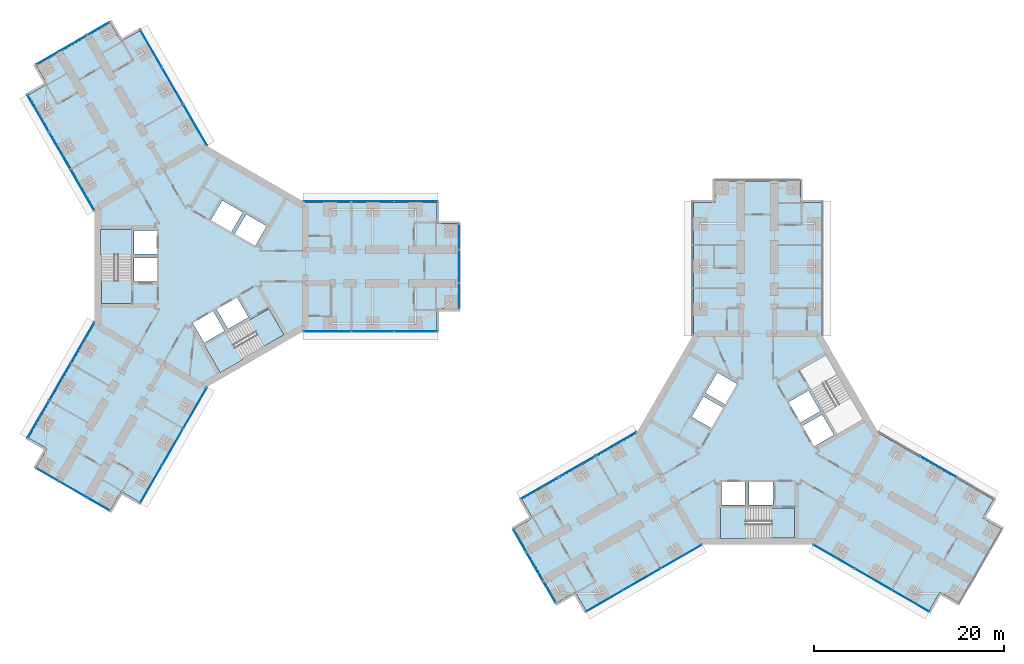
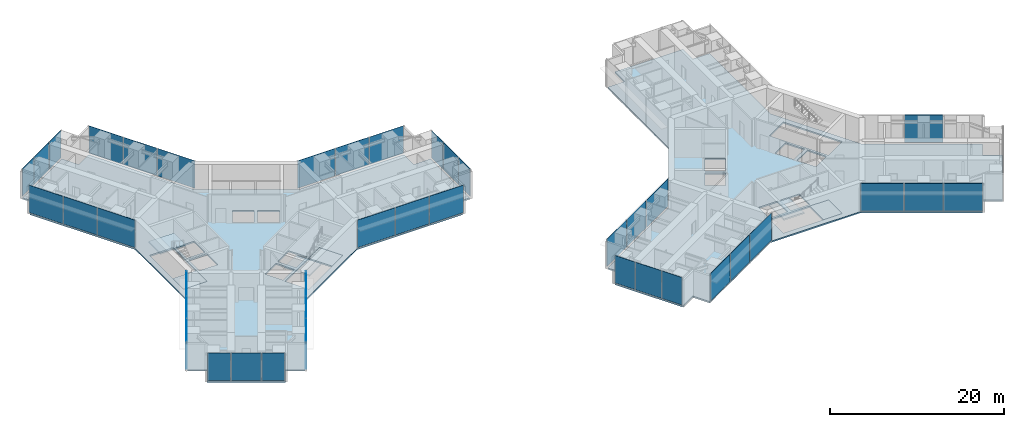
# One storey, part 14 of 24: 40 plates, 8 slabs, 17 elements without a shape of their own.
"""IFC4 building model written with IfcOpenShell, lengths in metres."""

import ifcopenshell
import ifcopenshell.guid

model = None  # the IFC model being written
_history = None  # IfcOwnerHistory: only IFC2X3 demands one
_inside = {}  # id of a spatial element -> (the spatial element, [elements in it])
_under = {}  # id of a project, library or spatial element -> (it, [spatial elements below it])
_declared = {}  # id of a project -> (the project, [libraries it declares])
_typed = {}  # id of a type object -> (the type object, [elements of that type])
_made_of = {}  # id of a material, layer set ... -> (it, [elements and type objects made of it])


def new_model(schema):
    """Start an empty IFC model of exactly this schema.

    Asked for "IFC4X3", IfcOpenShell would pick the latest addendum, in which some entities
    have other attributes; the version numbers below select the first issue.
    IFC2X3 requires an IfcOwnerHistory on every rooted entity: one is made here for all.
    """
    global model, _history
    if schema == "IFC4X3":
        model = ifcopenshell.file(schema_version=(4, 3, 0, 0))
    else:
        model = ifcopenshell.file(schema=schema)
    _inside.clear()
    _under.clear()
    _declared.clear()
    _typed.clear()
    _made_of.clear()
    _history = None
    if model.schema == "IFC2X3":
        org = make("IfcOrganization", Name="unknown")
        user = make(
            "IfcPersonAndOrganization",
            ThePerson=make("IfcPerson", FamilyName="unknown"),
            TheOrganization=org,
        )
        app = make(
            "IfcApplication",
            ApplicationDeveloper=org,
            Version="unknown",
            ApplicationFullName="unknown",
            ApplicationIdentifier="unknown",
        )
        _history = make(
            "IfcOwnerHistory",
            OwningUser=user,
            OwningApplication=app,
            ChangeAction="ADDED",
            CreationDate=0,
        )
    return model


def make(cls, **values):
    """One entity of the class cls with the attributes given. An attribute that is None is left unset."""
    return model.create_entity(
        cls, **{name: value for name, value in values.items() if value is not None}
    )


def rooted(cls, **values):
    """An entity with a GlobalId (a new one), such as an element, a storey or a relation."""
    return make(cls, GlobalId=ifcopenshell.guid.new(), OwnerHistory=_history, **values)


def si_unit(unit_type, name, prefix=None):
    """IfcSIUnit, for example si_unit("LENGTHUNIT", "METRE", prefix="MILLI")."""
    return make("IfcSIUnit", UnitType=unit_type, Prefix=prefix, Name=name)


def assignment(units):
    """IfcUnitAssignment: the units of a project."""
    return None if units is None else make("IfcUnitAssignment", Units=units)


def point(xyz):
    """IfcCartesianPoint."""
    return None if xyz is None else make("IfcCartesianPoint", Coordinates=xyz)


def direction(xyz):
    """IfcDirection."""
    return None if xyz is None else make("IfcDirection", DirectionRatios=xyz)


def frame(location, z_axis=None, x_axis=None):
    """IfcAxis2Placement3D, a coordinate frame: its origin and axes. An axis left out is left unset."""
    return make(
        "IfcAxis2Placement3D",
        Location=point(location),
        Axis=direction(z_axis),
        RefDirection=direction(x_axis),
    )


def frame_2d(location, x_axis=None):
    """IfcAxis2Placement2D, a coordinate frame in the plane: its origin and x axis."""
    return make(
        "IfcAxis2Placement2D", Location=point(location), RefDirection=direction(x_axis)
    )


def origin():
    """The frame at (0, 0, 0) with its axes left unset."""
    return frame((0.0, 0.0, 0.0))


def origin_2d():
    """The frame at (0, 0) in the plane with its x axis left unset."""
    return frame_2d((0.0, 0.0))


def place(relative_to, where):
    """IfcLocalPlacement: puts the frame where relative to a parent placement (None: the world)."""
    return make(
        "IfcLocalPlacement", PlacementRelTo=relative_to, RelativePlacement=where
    )


def context(
    kind, dimensions, precision=None, world=None, true_north=None, identifier=None
):
    """IfcGeometricRepresentationContext, for example the 3D "Model" context."""
    return make(
        "IfcGeometricRepresentationContext",
        ContextIdentifier=identifier,
        ContextType=kind,
        CoordinateSpaceDimension=dimensions,
        Precision=precision,
        WorldCoordinateSystem=world,
        TrueNorth=true_north,
    )


def subcontext(parent, identifier, kind, view, scale=None):
    """IfcGeometricRepresentationSubContext, for example "Body" below "Model"."""
    return make(
        "IfcGeometricRepresentationSubContext",
        ContextIdentifier=identifier,
        ContextType=kind,
        ParentContext=parent,
        TargetScale=scale,
        TargetView=view,
    )


def project(units=None, contexts=None):
    """IfcProject with its units and contexts."""
    return rooted(
        "IfcProject",
        Name="project",
        RepresentationContexts=contexts,
        UnitsInContext=assignment(units),
    )


def spatial(cls, under=None, at=None, **own):
    """A site, building, storey or space (cls), placed at a placement, below another one or the project."""
    s = rooted(cls, ObjectPlacement=at, **own)
    if under is not None:
        _under.setdefault(under.id(), (under, []))[1].append(s)
    return s


def polyline(points):
    """IfcPolyline through the points."""
    return make("IfcPolyline", Points=[point(p) for p in points])


def profile(cls, at=None, kind="AREA", **sizes):
    """A parametric profile (cls). Its sizes go by their IFC names, for example OverallWidth=200.0."""
    return make(cls, ProfileType=kind, Position=at, **sizes)


def rectangle(**sizes):
    """IfcRectangleProfileDef."""
    return profile("IfcRectangleProfileDef", **sizes)


def outline(outer, holes=None, kind="AREA"):
    """IfcArbitraryClosedProfileDef: a profile drawn as a closed curve; with holes, ...WithVoids."""
    if holes is None:
        return make("IfcArbitraryClosedProfileDef", ProfileType=kind, OuterCurve=outer)
    return make(
        "IfcArbitraryProfileDefWithVoids",
        ProfileType=kind,
        OuterCurve=outer,
        InnerCurves=holes,
    )


def extrude(swept, where, along, depth):
    """IfcExtrudedAreaSolid: the profile swept, set in the frame where, extruded along a direction by depth."""
    return make(
        "IfcExtrudedAreaSolid",
        SweptArea=swept,
        Position=where,
        ExtrudedDirection=direction(along),
        Depth=depth,
    )


def shape(context_of_items, identifier, shape_type, items):
    """IfcShapeRepresentation: the items that make up one representation, for example the "Body"."""
    return make(
        "IfcShapeRepresentation",
        ContextOfItems=context_of_items,
        RepresentationIdentifier=identifier,
        RepresentationType=shape_type,
        Items=items,
    )


def material(Name=None, Category=None):
    """IfcMaterial."""
    return make("IfcMaterial", Name=Name, Category=Category)


def layer(
    of_material, thickness, ventilated=None, Name=None, Category=None, Priority=None
):
    """IfcMaterialLayer: one layer of a wall or slab, of a material (None: an air gap)."""
    return make(
        "IfcMaterialLayer",
        Material=of_material,
        LayerThickness=thickness,
        IsVentilated=ventilated,
        Name=Name,
        Category=Category,
        Priority=Priority,
    )


def layer_set(layers, Name=None):
    """IfcMaterialLayerSet."""
    return make("IfcMaterialLayerSet", MaterialLayers=layers, LayerSetName=Name)


def made_of(thing, what):
    """Note that an element or type object is made of a material, layer set ...; save() writes the relation."""
    if what is not None:
        _made_of.setdefault(what.id(), (what, []))[1].append(thing)
    return thing


def type_object(cls, material=None, **own):
    """A type object (cls), such as IfcWallType, which elements share."""
    return made_of(rooted(cls, **own), material)


def element(
    cls,
    number,
    at=None,
    inside=None,
    cuts=None,
    type_object=None,
    material=None,
    context=None,
    identifier="Body",
    shape_type=None,
    held_by="IfcProductDefinitionShape",
    body=None,
    shapes=None,
    **own,
):
    """One element of the class cls, such as IfcWall. Its Tag is "e" and its number.

    at: its placement. inside: the storey or other place that contains it. cuts: it is an
    opening in that element (IfcRelVoidsElement). A single representation is given by context,
    identifier, shape_type and body (its items); several are given by shapes. held_by: the class
    of the entity that holds the representations. save() writes the other relations.
    """
    e = rooted(cls, Tag="e%d" % number, ObjectPlacement=at, **own)
    if body is not None:
        shapes = [shape(context, identifier, shape_type, body)]
    if shapes is not None:
        e.Representation = make(held_by, Representations=shapes)
    if inside is not None:
        _inside.setdefault(inside.id(), (inside, []))[1].append(e)
    if cuts is not None:
        rooted(
            "IfcRelVoidsElement", RelatingBuildingElement=cuts, RelatedOpeningElement=e
        )
    if type_object is not None:
        _typed.setdefault(type_object.id(), (type_object, []))[1].append(e)
    return made_of(e, material)


def aggregate(whole, parts):
    """IfcRelAggregates: a whole, such as a stair, and the parts it consists of."""
    return rooted("IfcRelAggregates", RelatingObject=whole, RelatedObjects=parts)


def save(model, path):
    """Write the relations noted so far, then the file.

    IfcRelAggregates (storeys below a building ...), IfcRelContainedInSpatialStructure (elements
    in a storey), IfcRelDefinesByType, IfcRelAssociatesMaterial and IfcRelDeclares: one each for
    every whole, place, type object, material and project.
    """
    for whole, parts in _under.values():
        aggregate(whole, parts)
    for where, things in _inside.values():
        rooted(
            "IfcRelContainedInSpatialStructure",
            RelatedElements=things,
            RelatingStructure=where,
        )
    for kind, things in _typed.values():
        rooted("IfcRelDefinesByType", RelatedObjects=things, RelatingType=kind)
    for what, things in _made_of.values():
        rooted("IfcRelAssociatesMaterial", RelatedObjects=things, RelatingMaterial=what)
    for by, libraries in _declared.values():
        rooted("IfcRelDeclares", RelatingContext=by, RelatedDefinitions=libraries)
    model.write(path)


model = new_model("IFC4")

# Units and contexts
model_context = context("Model", 3, precision=1e-05, world=origin(), true_north=direction((0.0, 1.0)))
body_context = subcontext(model_context, "Body", "Model", "MODEL_VIEW")
ifc_project = project(units=[si_unit("LENGTHUNIT", "METRE"), si_unit("AREAUNIT", "SQUARE_METRE"), si_unit("VOLUMEUNIT", "CUBIC_METRE"), si_unit("PLANEANGLEUNIT", "RADIAN"), si_unit("MASSUNIT", "GRAM", prefix="KILO")], contexts=[model_context])

# Site, building, storey
site_placement = place(None, origin())
site = spatial("IfcSite", under=ifc_project, at=site_placement, CompositionType="ELEMENT")
building_placement = place(site_placement, origin())
building = spatial("IfcBuilding", under=site, at=building_placement, Name="Upepo Twin Towers", CompositionType="ELEMENT")
storey_placement = place(building_placement, frame((0.0, 0.0, 52.5)))
storey = spatial("IfcBuildingStorey", under=building, at=storey_placement, Name="L12", CompositionType="ELEMENT", Elevation=52.5)

# Curtain wall, plates
ifc_material_1 = material(Name="Aluminium and fritted glass", Category="aluminium")
curtain_wall_type = type_object("IfcCurtainWallType", Name="Tower curtain wall TW1, fritted glass", PredefinedType="NOTDEFINED", material=ifc_material_1)
curtain_wall_1_placement = place(storey_placement, origin())
curtain_wall_1 = element("IfcCurtainWall", 1, at=curtain_wall_1_placement, inside=storey, type_object=curtain_wall_type, Name="T1 L12 wing A flank L curtain wall", PredefinedType="NOTDEFINED")
ifc_material_2 = material(Name="Ceramic-fritted laminated glass", Category="glass")
ifc_layer_1 = layer(ifc_material_2, 0.031982421875)
ifc_layer_set_1 = layer_set([ifc_layer_1], Name="Fritted glass panel, 25 per cent dot frit, 32 mm double glazed")
plate_type_1 = type_object("IfcPlateType", Name="Fritted glass panel, 25 per cent dot frit, 32 mm double glazed", PredefinedType="CURTAIN_PANEL", material=ifc_layer_set_1)
plate_1_placement = place(storey_placement, frame((13.23486328125, 6.85009765625, 0.14990234375), z_axis=(0.0, 0.0, 1.0), x_axis=(1.0, 0.0, 0.0)))
plate_1 = element("IfcPlate", 2, at=plate_1_placement, type_object=plate_type_1, Name="T1 L12 wing A flank L curtain wall panel 1", PredefinedType="CURTAIN_PANEL", context=body_context, shape_type="SweptSolid", body=[
    extrude(rectangle(XDim=4.96533203125, YDim=0.031982421875, at=origin_2d()), origin(), (0.0, 0.0, 1.0), 3.85009765625),
])
plate_2_placement = place(storey_placement, frame((18.0, 6.85009765625, 0.14990234375), z_axis=(0.0, 0.0, 1.0), x_axis=(1.0, 0.0, 0.0)))
plate_2 = element("IfcPlate", 3, at=plate_2_placement, type_object=plate_type_1, Name="T1 L12 wing A flank L curtain wall panel 2", PredefinedType="CURTAIN_PANEL", context=body_context, shape_type="SweptSolid", body=[
    extrude(rectangle(XDim=4.43505859375, YDim=0.031982421875, at=origin_2d()), origin(), (0.0, 0.0, 1.0), 3.85009765625),
])
plate_3_placement = place(storey_placement, frame((22.53369140625, 6.85009765625, 0.14990234375), z_axis=(0.0, 0.0, 1.0), x_axis=(1.0, 0.0, 0.0)))
plate_3 = element("IfcPlate", 4, at=plate_3_placement, type_object=plate_type_1, Name="T1 L12 wing A flank L curtain wall panel 3", PredefinedType="CURTAIN_PANEL", context=body_context, shape_type="SweptSolid", body=[
    extrude(rectangle(XDim=4.50244140625, YDim=0.031982421875, at=origin_2d()), origin(), (0.0, 0.0, 1.0), 3.85009765625),
])
aggregate(curtain_wall_1, [plate_1, plate_2, plate_3])

curtain_wall_2_placement = place(storey_placement, origin())
curtain_wall_2 = element("IfcCurtainWall", 5, at=curtain_wall_2_placement, inside=storey, type_object=curtain_wall_type, Name="T1 L12 wing A flank R curtain wall", PredefinedType="NOTDEFINED")
plate_4_placement = place(storey_placement, frame((22.53369140625, -6.85009765625, 0.14990234375), z_axis=(0.0, 0.0, 1.0), x_axis=(-1.0, 0.0, 0.0)))
plate_4 = element("IfcPlate", 6, at=plate_4_placement, type_object=plate_type_1, Name="T1 L12 wing A flank R curtain wall panel 1", PredefinedType="CURTAIN_PANEL", context=body_context, shape_type="SweptSolid", body=[
    extrude(rectangle(XDim=4.50244140625, YDim=0.031982421875, at=origin_2d()), origin(), (0.0, 0.0, 1.0), 3.85009765625),
])
plate_5_placement = place(storey_placement, frame((18.0, -6.85009765625, 0.14990234375), z_axis=(0.0, 0.0, 1.0), x_axis=(-1.0, 0.0, 0.0)))
plate_5 = element("IfcPlate", 7, at=plate_5_placement, type_object=plate_type_1, Name="T1 L12 wing A flank R curtain wall panel 2", PredefinedType="CURTAIN_PANEL", context=body_context, shape_type="SweptSolid", body=[
    extrude(rectangle(XDim=4.43505859375, YDim=0.031982421875, at=origin_2d()), origin(), (0.0, 0.0, 1.0), 3.85009765625),
])
plate_6_placement = place(storey_placement, frame((13.23486328125, -6.85009765625, 0.14990234375), z_axis=(0.0, 0.0, 1.0), x_axis=(-1.0, 0.0, 0.0)))
plate_6 = element("IfcPlate", 8, at=plate_6_placement, type_object=plate_type_1, Name="T1 L12 wing A flank R curtain wall panel 3", PredefinedType="CURTAIN_PANEL", context=body_context, shape_type="SweptSolid", body=[
    extrude(rectangle(XDim=4.96533203125, YDim=0.031982421875, at=origin_2d()), origin(), (0.0, 0.0, 1.0), 3.85009765625),
])
aggregate(curtain_wall_2, [plate_4, plate_5, plate_6])

# Curtain wall, plate
curtain_wall_3_placement = place(storey_placement, origin())
curtain_wall_3 = element("IfcCurtainWall", 9, at=curtain_wall_3_placement, inside=storey, type_object=curtain_wall_type, Name="T1 L12 wing A nose curtain wall", PredefinedType="NOTDEFINED")
plate_7_placement = place(storey_placement, frame((27.10009765625, 0.0, 0.14990234375), z_axis=(0.0, 0.0, 1.0), x_axis=(0.0, 1.0, 0.0)))
plate_7 = element("IfcPlate", 10, at=plate_7_placement, type_object=plate_type_1, Name="T1 L12 wing A nose curtain wall panel 2", PredefinedType="CURTAIN_PANEL", context=body_context, shape_type="SweptSolid", body=[
    extrude(rectangle(XDim=3.43505859375, YDim=0.031982421875, at=origin_2d()), origin(), (0.0, 0.0, 1.0), 3.85009765625),
])

# Curtain wall, plates
curtain_wall_4_placement = place(storey_placement, origin())
curtain_wall_4 = element("IfcCurtainWall", 11, at=curtain_wall_4_placement, inside=storey, type_object=curtain_wall_type, Name="T1 L12 wing B flank L curtain wall", PredefinedType="NOTDEFINED")
plate_8_placement = place(storey_placement, frame((-12.549560546875, 8.03662109375, 0.14990234375), z_axis=(0.0, 0.0, 1.0), x_axis=(-0.500000024426, 0.866025389682, 0.0)))
plate_8 = element("IfcPlate", 12, at=plate_8_placement, type_object=plate_type_1, Name="T1 L12 wing B flank L curtain wall panel 1", PredefinedType="CURTAIN_PANEL", context=body_context, shape_type="SweptSolid", body=[
    extrude(rectangle(XDim=4.96533203125, YDim=0.031982421875, at=origin_2d()), origin(), (0.0, 0.0, 1.0), 3.85009765625),
])
plate_9_placement = place(storey_placement, frame((-14.932373046875, 12.16357421875, 0.14990234375), z_axis=(0.0, 0.0, 1.0), x_axis=(-0.500000024426, 0.866025389682, 0.0)))
plate_9 = element("IfcPlate", 13, at=plate_9_placement, type_object=plate_type_1, Name="T1 L12 wing B flank L curtain wall panel 2", PredefinedType="CURTAIN_PANEL", context=body_context, shape_type="SweptSolid", body=[
    extrude(rectangle(XDim=4.43505859375, YDim=0.031982421875, at=origin_2d()), origin(), (0.0, 0.0, 1.0), 3.85009765625),
])
plate_10_placement = place(storey_placement, frame((-17.19921875, 16.08984375, 0.14990234375), z_axis=(0.0, 0.0, 1.0), x_axis=(-0.500000024426, 0.866025389682, 0.0)))
plate_10 = element("IfcPlate", 14, at=plate_10_placement, type_object=plate_type_1, Name="T1 L12 wing B flank L curtain wall panel 3", PredefinedType="CURTAIN_PANEL", context=body_context, shape_type="SweptSolid", body=[
    extrude(rectangle(XDim=4.50244140625, YDim=0.031982421875, at=origin_2d()), origin(), (0.0, 0.0, 1.0), 3.85009765625),
])
aggregate(curtain_wall_4, [plate_8, plate_9, plate_10])

curtain_wall_5_placement = place(storey_placement, origin())
curtain_wall_5 = element("IfcCurtainWall", 15, at=curtain_wall_5_placement, inside=storey, type_object=curtain_wall_type, Name="T1 L12 wing B flank R curtain wall", PredefinedType="NOTDEFINED")
plate_11_placement = place(storey_placement, frame((-5.334716796875, 22.939697265625, 0.14990234375), z_axis=(0.0, 0.0, 1.0), x_axis=(0.500000024426, -0.866025389682, 0.0)))
plate_11 = element("IfcPlate", 16, at=plate_11_placement, type_object=plate_type_1, Name="T1 L12 wing B flank R curtain wall panel 1", PredefinedType="CURTAIN_PANEL", context=body_context, shape_type="SweptSolid", body=[
    extrude(rectangle(XDim=4.50244140625, YDim=0.031982421875, at=origin_2d()), origin(), (0.0, 0.0, 1.0), 3.85009765625),
])
plate_12_placement = place(storey_placement, frame((-3.067626953125, 19.013427734375, 0.14990234375), z_axis=(0.0, 0.0, 1.0), x_axis=(0.500000024426, -0.866025389682, 0.0)))
plate_12 = element("IfcPlate", 17, at=plate_12_placement, type_object=plate_type_1, Name="T1 L12 wing B flank R curtain wall panel 2", PredefinedType="CURTAIN_PANEL", context=body_context, shape_type="SweptSolid", body=[
    extrude(rectangle(XDim=4.43505859375, YDim=0.031982421875, at=origin_2d()), origin(), (0.0, 0.0, 1.0), 3.85009765625),
])
plate_13_placement = place(storey_placement, frame((-0.68505859375, 14.88671875, 0.14990234375), z_axis=(0.0, 0.0, 1.0), x_axis=(0.500000024426, -0.866025389682, 0.0)))
plate_13 = element("IfcPlate", 18, at=plate_13_placement, type_object=plate_type_1, Name="T1 L12 wing B flank R curtain wall panel 3", PredefinedType="CURTAIN_PANEL", context=body_context, shape_type="SweptSolid", body=[
    extrude(rectangle(XDim=4.96533203125, YDim=0.031982421875, at=origin_2d()), origin(), (0.0, 0.0, 1.0), 3.85009765625),
])
aggregate(curtain_wall_5, [plate_11, plate_12, plate_13])

# Curtain wall, plate
curtain_wall_6_placement = place(storey_placement, origin())
curtain_wall_6 = element("IfcCurtainWall", 19, at=curtain_wall_6_placement, inside=storey, type_object=curtain_wall_type, Name="T1 L12 wing B nose curtain wall", PredefinedType="NOTDEFINED")
plate_14_placement = place(storey_placement, frame((-13.550048828125, 23.46923828125, 0.14990234375), z_axis=(0.0, 0.0, 1.0), x_axis=(-0.866025386174, -0.500000030502, 0.0)))
plate_14 = element("IfcPlate", 20, at=plate_14_placement, type_object=plate_type_1, Name="T1 L12 wing B nose curtain wall panel 2", PredefinedType="CURTAIN_PANEL", context=body_context, shape_type="SweptSolid", body=[
    extrude(rectangle(XDim=3.43505859375, YDim=0.031982421875, at=origin_2d()), origin(), (0.0, 0.0, 1.0), 3.85009765625),
])

# Curtain wall, plates
curtain_wall_7_placement = place(storey_placement, origin())
curtain_wall_7 = element("IfcCurtainWall", 21, at=curtain_wall_7_placement, inside=storey, type_object=curtain_wall_type, Name="T1 L12 wing C flank L curtain wall", PredefinedType="NOTDEFINED")
plate_15_placement = place(storey_placement, frame((-0.68505859375, -14.88671875, 0.14990234375), z_axis=(0.0, 0.0, 1.0), x_axis=(-0.500000024426, -0.866025389682, 0.0)))
plate_15 = element("IfcPlate", 22, at=plate_15_placement, type_object=plate_type_1, Name="T1 L12 wing C flank L curtain wall panel 1", PredefinedType="CURTAIN_PANEL", context=body_context, shape_type="SweptSolid", body=[
    extrude(rectangle(XDim=4.96533203125, YDim=0.031982421875, at=origin_2d()), origin(), (0.0, 0.0, 1.0), 3.85009765625),
])
plate_16_placement = place(storey_placement, frame((-3.067626953125, -19.013427734375, 0.14990234375), z_axis=(0.0, 0.0, 1.0), x_axis=(-0.500000024426, -0.866025389682, 0.0)))
plate_16 = element("IfcPlate", 23, at=plate_16_placement, type_object=plate_type_1, Name="T1 L12 wing C flank L curtain wall panel 2", PredefinedType="CURTAIN_PANEL", context=body_context, shape_type="SweptSolid", body=[
    extrude(rectangle(XDim=4.43505859375, YDim=0.031982421875, at=origin_2d()), origin(), (0.0, 0.0, 1.0), 3.85009765625),
])
plate_17_placement = place(storey_placement, frame((-5.334716796875, -22.939697265625, 0.14990234375), z_axis=(0.0, 0.0, 1.0), x_axis=(-0.500000024426, -0.866025389682, 0.0)))
plate_17 = element("IfcPlate", 24, at=plate_17_placement, type_object=plate_type_1, Name="T1 L12 wing C flank L curtain wall panel 3", PredefinedType="CURTAIN_PANEL", context=body_context, shape_type="SweptSolid", body=[
    extrude(rectangle(XDim=4.50244140625, YDim=0.031982421875, at=origin_2d()), origin(), (0.0, 0.0, 1.0), 3.85009765625),
])
aggregate(curtain_wall_7, [plate_15, plate_16, plate_17])

curtain_wall_8_placement = place(storey_placement, origin())
curtain_wall_8 = element("IfcCurtainWall", 25, at=curtain_wall_8_placement, inside=storey, type_object=curtain_wall_type, Name="T1 L12 wing C flank R curtain wall", PredefinedType="NOTDEFINED")
plate_18_placement = place(storey_placement, frame((-17.19921875, -16.08984375, 0.14990234375), z_axis=(0.0, 0.0, 1.0), x_axis=(0.500000024426, 0.866025389682, 0.0)))
plate_18 = element("IfcPlate", 26, at=plate_18_placement, type_object=plate_type_1, Name="T1 L12 wing C flank R curtain wall panel 1", PredefinedType="CURTAIN_PANEL", context=body_context, shape_type="SweptSolid", body=[
    extrude(rectangle(XDim=4.50244140625, YDim=0.031982421875, at=origin_2d()), origin(), (0.0, 0.0, 1.0), 3.85009765625),
])
plate_19_placement = place(storey_placement, frame((-14.932373046875, -12.16357421875, 0.14990234375), z_axis=(0.0, 0.0, 1.0), x_axis=(0.500000024426, 0.866025389682, 0.0)))
plate_19 = element("IfcPlate", 27, at=plate_19_placement, type_object=plate_type_1, Name="T1 L12 wing C flank R curtain wall panel 2", PredefinedType="CURTAIN_PANEL", context=body_context, shape_type="SweptSolid", body=[
    extrude(rectangle(XDim=4.43505859375, YDim=0.031982421875, at=origin_2d()), origin(), (0.0, 0.0, 1.0), 3.85009765625),
])
plate_20_placement = place(storey_placement, frame((-12.549560546875, -8.03662109375, 0.14990234375), z_axis=(0.0, 0.0, 1.0), x_axis=(0.500000024426, 0.866025389682, 0.0)))
plate_20 = element("IfcPlate", 28, at=plate_20_placement, type_object=plate_type_1, Name="T1 L12 wing C flank R curtain wall panel 3", PredefinedType="CURTAIN_PANEL", context=body_context, shape_type="SweptSolid", body=[
    extrude(rectangle(XDim=4.96533203125, YDim=0.031982421875, at=origin_2d()), origin(), (0.0, 0.0, 1.0), 3.85009765625),
])
aggregate(curtain_wall_8, [plate_18, plate_19, plate_20])

# Curtain wall, plate
curtain_wall_9_placement = place(storey_placement, origin())
curtain_wall_9 = element("IfcCurtainWall", 29, at=curtain_wall_9_placement, inside=storey, type_object=curtain_wall_type, Name="T1 L12 wing C nose curtain wall", PredefinedType="NOTDEFINED")
plate_21_placement = place(storey_placement, frame((-13.550048828125, -23.46923828125, 0.14990234375), z_axis=(0.0, 0.0, 1.0), x_axis=(0.866025386174, -0.500000030502, 0.0)))
plate_21 = element("IfcPlate", 30, at=plate_21_placement, type_object=plate_type_1, Name="T1 L12 wing C nose curtain wall panel 2", PredefinedType="CURTAIN_PANEL", context=body_context, shape_type="SweptSolid", body=[
    extrude(rectangle(XDim=3.43505859375, YDim=0.031982421875, at=origin_2d()), origin(), (0.0, 0.0, 1.0), 3.85009765625),
])

# Curtain wall, plates
curtain_wall_10_placement = place(storey_placement, origin())
curtain_wall_10 = element("IfcCurtainWall", 31, at=curtain_wall_10_placement, inside=storey, type_object=curtain_wall_type, Name="T2 L12 wing B flank L curtain wall", PredefinedType="NOTDEFINED")
plate_22_placement = place(storey_placement, frame((50.46337890625, -30.549560546875, 0.14990234375), z_axis=(0.0, 0.0, 1.0), x_axis=(-0.866025389682, -0.500000024426, 0.0)))
plate_22 = element("IfcPlate", 32, at=plate_22_placement, type_object=plate_type_1, Name="T2 L12 wing B flank L curtain wall panel 1", PredefinedType="CURTAIN_PANEL", context=body_context, shape_type="SweptSolid", body=[
    extrude(rectangle(XDim=4.96533203125, YDim=0.031982421875, at=origin_2d()), origin(), (0.0, 0.0, 1.0), 3.85009765625),
])
plate_23_placement = place(storey_placement, frame((46.33642578125, -32.932373046875, 0.14990234375), z_axis=(0.0, 0.0, 1.0), x_axis=(-0.866025389682, -0.500000024426, 0.0)))
plate_23 = element("IfcPlate", 33, at=plate_23_placement, type_object=plate_type_1, Name="T2 L12 wing B flank L curtain wall panel 2", PredefinedType="CURTAIN_PANEL", context=body_context, shape_type="SweptSolid", body=[
    extrude(rectangle(XDim=4.43505859375, YDim=0.031982421875, at=origin_2d()), origin(), (0.0, 0.0, 1.0), 3.85009765625),
])
plate_24_placement = place(storey_placement, frame((42.41015625, -35.19921875, 0.14990234375), z_axis=(0.0, 0.0, 1.0), x_axis=(-0.866025389682, -0.500000024426, 0.0)))
plate_24 = element("IfcPlate", 34, at=plate_24_placement, type_object=plate_type_1, Name="T2 L12 wing B flank L curtain wall panel 3", PredefinedType="CURTAIN_PANEL", context=body_context, shape_type="SweptSolid", body=[
    extrude(rectangle(XDim=4.50244140625, YDim=0.031982421875, at=origin_2d()), origin(), (0.0, 0.0, 1.0), 3.85009765625),
])
aggregate(curtain_wall_10, [plate_22, plate_23, plate_24])

curtain_wall_11_placement = place(storey_placement, origin())
curtain_wall_11 = element("IfcCurtainWall", 35, at=curtain_wall_11_placement, inside=storey, type_object=curtain_wall_type, Name="T2 L12 wing B flank R curtain wall", PredefinedType="NOTDEFINED")
plate_25_placement = place(storey_placement, frame((35.560302734375, -23.334716796875, 0.14990234375), z_axis=(0.0, 0.0, 1.0), x_axis=(0.866025389682, 0.500000024426, 0.0)))
plate_25 = element("IfcPlate", 36, at=plate_25_placement, type_object=plate_type_1, Name="T2 L12 wing B flank R curtain wall panel 1", PredefinedType="CURTAIN_PANEL", context=body_context, shape_type="SweptSolid", body=[
    extrude(rectangle(XDim=4.50244140625, YDim=0.031982421875, at=origin_2d()), origin(), (0.0, 0.0, 1.0), 3.85009765625),
])
plate_26_placement = place(storey_placement, frame((39.486572265625, -21.067626953125, 0.14990234375), z_axis=(0.0, 0.0, 1.0), x_axis=(0.866025389682, 0.500000024426, 0.0)))
plate_26 = element("IfcPlate", 37, at=plate_26_placement, type_object=plate_type_1, Name="T2 L12 wing B flank R curtain wall panel 2", PredefinedType="CURTAIN_PANEL", context=body_context, shape_type="SweptSolid", body=[
    extrude(rectangle(XDim=4.43505859375, YDim=0.031982421875, at=origin_2d()), origin(), (0.0, 0.0, 1.0), 3.85009765625),
])
plate_27_placement = place(storey_placement, frame((43.61328125, -18.68505859375, 0.14990234375), z_axis=(0.0, 0.0, 1.0), x_axis=(0.866025389682, 0.500000024426, 0.0)))
plate_27 = element("IfcPlate", 38, at=plate_27_placement, type_object=plate_type_1, Name="T2 L12 wing B flank R curtain wall panel 3", PredefinedType="CURTAIN_PANEL", context=body_context, shape_type="SweptSolid", body=[
    extrude(rectangle(XDim=4.96533203125, YDim=0.031982421875, at=origin_2d()), origin(), (0.0, 0.0, 1.0), 3.85009765625),
])
aggregate(curtain_wall_11, [plate_25, plate_26, plate_27])

# Curtain wall, plate
curtain_wall_12_placement = place(storey_placement, origin())
curtain_wall_12 = element("IfcCurtainWall", 39, at=curtain_wall_12_placement, inside=storey, type_object=curtain_wall_type, Name="T2 L12 wing B nose curtain wall", PredefinedType="NOTDEFINED")
plate_28_placement = place(storey_placement, frame((35.03076171875, -31.550048828125, 0.14990234375), z_axis=(0.0, 0.0, 1.0), x_axis=(0.500000030502, -0.866025386174, 0.0)))
plate_28 = element("IfcPlate", 40, at=plate_28_placement, type_object=plate_type_1, Name="T2 L12 wing B nose curtain wall panel 2", PredefinedType="CURTAIN_PANEL", context=body_context, shape_type="SweptSolid", body=[
    extrude(rectangle(XDim=3.43505859375, YDim=0.031982421875, at=origin_2d()), origin(), (0.0, 0.0, 1.0), 3.85009765625),
])

curtain_wall_13_placement = place(storey_placement, origin())
curtain_wall_13 = element("IfcCurtainWall", 41, at=curtain_wall_13_placement, inside=storey, type_object=curtain_wall_type, Name="T2 L12 wing C flank L curtain wall", PredefinedType="NOTDEFINED")
plate_29_placement = place(storey_placement, frame((77.513427734375, -21.067626953125, 0.14990234375), z_axis=(0.0, 0.0, 1.0), x_axis=(0.866025389682, -0.500000024426, 0.0)))
plate_29 = element("IfcPlate", 42, at=plate_29_placement, type_object=plate_type_1, Name="T2 L12 wing C flank L curtain wall panel 2", PredefinedType="CURTAIN_PANEL", context=body_context, shape_type="SweptSolid", body=[
    extrude(rectangle(XDim=4.43505859375, YDim=0.031982421875, at=origin_2d()), origin(), (0.0, 0.0, 1.0), 3.85009765625),
])
aggregate(curtain_wall_13, [plate_29])

# Curtain wall, plates
curtain_wall_14_placement = place(storey_placement, origin())
curtain_wall_14 = element("IfcCurtainWall", 43, at=curtain_wall_14_placement, inside=storey, type_object=curtain_wall_type, Name="T2 L12 wing C flank R curtain wall", PredefinedType="NOTDEFINED")
plate_30_placement = place(storey_placement, frame((74.58984375, -35.19921875, 0.14990234375), z_axis=(0.0, 0.0, 1.0), x_axis=(-0.866025389682, 0.500000024426, 0.0)))
plate_30 = element("IfcPlate", 44, at=plate_30_placement, type_object=plate_type_1, Name="T2 L12 wing C flank R curtain wall panel 1", PredefinedType="CURTAIN_PANEL", context=body_context, shape_type="SweptSolid", body=[
    extrude(rectangle(XDim=4.50244140625, YDim=0.031982421875, at=origin_2d()), origin(), (0.0, 0.0, 1.0), 3.85009765625),
])
plate_31_placement = place(storey_placement, frame((70.66357421875, -32.932373046875, 0.14990234375), z_axis=(0.0, 0.0, 1.0), x_axis=(-0.866025389682, 0.500000024426, 0.0)))
plate_31 = element("IfcPlate", 45, at=plate_31_placement, type_object=plate_type_1, Name="T2 L12 wing C flank R curtain wall panel 2", PredefinedType="CURTAIN_PANEL", context=body_context, shape_type="SweptSolid", body=[
    extrude(rectangle(XDim=4.43505859375, YDim=0.031982421875, at=origin_2d()), origin(), (0.0, 0.0, 1.0), 3.85009765625),
])
plate_32_placement = place(storey_placement, frame((66.53662109375, -30.549560546875, 0.14990234375), z_axis=(0.0, 0.0, 1.0), x_axis=(-0.866025389682, 0.500000024426, 0.0)))
plate_32 = element("IfcPlate", 46, at=plate_32_placement, type_object=plate_type_1, Name="T2 L12 wing C flank R curtain wall panel 3", PredefinedType="CURTAIN_PANEL", context=body_context, shape_type="SweptSolid", body=[
    extrude(rectangle(XDim=4.96533203125, YDim=0.031982421875, at=origin_2d()), origin(), (0.0, 0.0, 1.0), 3.85009765625),
])
aggregate(curtain_wall_14, [plate_30, plate_31, plate_32])

# Plate
ifc_material_3 = material(Name="Clear laminated glass in opening sash", Category="glass")
ifc_layer_2 = layer(ifc_material_3, 0.031982421875)
ifc_layer_set_2 = layer_set([ifc_layer_2], Name="Operable glass panel, 32 mm double glazed")
plate_type_2 = type_object("IfcPlateType", Name="Operable glass panel, 32 mm double glazed", PredefinedType="CURTAIN_PANEL", material=ifc_layer_set_2)
plate_33_placement = place(storey_placement, frame((27.10009765625, -3.108642578125, 0.14990234375), z_axis=(0.0, 0.0, 1.0), x_axis=(0.0, 1.0, 0.0)))
plate_33 = element("IfcPlate", 47, at=plate_33_placement, type_object=plate_type_2, Name="T1 L12 wing A nose curtain wall panel 1", PredefinedType="CURTAIN_PANEL", context=body_context, shape_type="SweptSolid", body=[
    extrude(rectangle(XDim=2.652587890625, YDim=0.031982421875, at=origin_2d()), origin(), (0.0, 0.0, 1.0), 3.85009765625),
])

plate_34_placement = place(storey_placement, frame((27.10009765625, 3.108642578125, 0.14990234375), z_axis=(0.0, 0.0, 1.0), x_axis=(0.0, 1.0, 0.0)))
plate_34 = element("IfcPlate", 48, at=plate_34_placement, type_object=plate_type_2, Name="T1 L12 wing A nose curtain wall panel 3", PredefinedType="CURTAIN_PANEL", context=body_context, shape_type="SweptSolid", body=[
    extrude(rectangle(XDim=2.652587890625, YDim=0.031982421875, at=origin_2d()), origin(), (0.0, 0.0, 1.0), 3.85009765625),
])

aggregate(curtain_wall_3, [plate_33, plate_7, plate_34])

plate_35_placement = place(storey_placement, frame((-10.857666015625, 25.023681640625, 0.14990234375), z_axis=(0.0, 0.0, 1.0), x_axis=(-0.866025386174, -0.500000030502, 0.0)))
plate_35 = element("IfcPlate", 49, at=plate_35_placement, type_object=plate_type_2, Name="T1 L12 wing B nose curtain wall panel 1", PredefinedType="CURTAIN_PANEL", context=body_context, shape_type="SweptSolid", body=[
    extrude(rectangle(XDim=2.652587890625, YDim=0.031982421875, at=origin_2d()), origin(), (0.0, 0.0, 1.0), 3.85009765625),
])

plate_36_placement = place(storey_placement, frame((-16.2421875, 21.914794921875, 0.14990234375), z_axis=(0.0, 0.0, 1.0), x_axis=(-0.866025386174, -0.500000030502, 0.0)))
plate_36 = element("IfcPlate", 50, at=plate_36_placement, type_object=plate_type_2, Name="T1 L12 wing B nose curtain wall panel 3", PredefinedType="CURTAIN_PANEL", context=body_context, shape_type="SweptSolid", body=[
    extrude(rectangle(XDim=2.652587890625, YDim=0.031982421875, at=origin_2d()), origin(), (0.0, 0.0, 1.0), 3.85009765625),
])

aggregate(curtain_wall_6, [plate_35, plate_14, plate_36])

plate_37_placement = place(storey_placement, frame((-16.2421875, -21.914794921875, 0.14990234375), z_axis=(0.0, 0.0, 1.0), x_axis=(0.866025386174, -0.500000030502, 0.0)))
plate_37 = element("IfcPlate", 51, at=plate_37_placement, type_object=plate_type_2, Name="T1 L12 wing C nose curtain wall panel 1", PredefinedType="CURTAIN_PANEL", context=body_context, shape_type="SweptSolid", body=[
    extrude(rectangle(XDim=2.652587890625, YDim=0.031982421875, at=origin_2d()), origin(), (0.0, 0.0, 1.0), 3.85009765625),
])

plate_38_placement = place(storey_placement, frame((-10.857666015625, -25.023681640625, 0.14990234375), z_axis=(0.0, 0.0, 1.0), x_axis=(0.866025386174, -0.500000030502, 0.0)))
plate_38 = element("IfcPlate", 52, at=plate_38_placement, type_object=plate_type_2, Name="T1 L12 wing C nose curtain wall panel 3", PredefinedType="CURTAIN_PANEL", context=body_context, shape_type="SweptSolid", body=[
    extrude(rectangle(XDim=2.652587890625, YDim=0.031982421875, at=origin_2d()), origin(), (0.0, 0.0, 1.0), 3.85009765625),
])

aggregate(curtain_wall_9, [plate_37, plate_21, plate_38])

plate_39_placement = place(storey_placement, frame((33.476318359375, -28.857666015625, 0.14990234375), z_axis=(0.0, 0.0, 1.0), x_axis=(0.500000030502, -0.866025386174, 0.0)))
plate_39 = element("IfcPlate", 53, at=plate_39_placement, type_object=plate_type_2, Name="T2 L12 wing B nose curtain wall panel 1", PredefinedType="CURTAIN_PANEL", context=body_context, shape_type="SweptSolid", body=[
    extrude(rectangle(XDim=2.652587890625, YDim=0.031982421875, at=origin_2d()), origin(), (0.0, 0.0, 1.0), 3.85009765625),
])

plate_40_placement = place(storey_placement, frame((36.585205078125, -34.2421875, 0.14990234375), z_axis=(0.0, 0.0, 1.0), x_axis=(0.500000030502, -0.866025386174, 0.0)))
plate_40 = element("IfcPlate", 54, at=plate_40_placement, type_object=plate_type_2, Name="T2 L12 wing B nose curtain wall panel 3", PredefinedType="CURTAIN_PANEL", context=body_context, shape_type="SweptSolid", body=[
    extrude(rectangle(XDim=2.652587890625, YDim=0.031982421875, at=origin_2d()), origin(), (0.0, 0.0, 1.0), 3.85009765625),
])

aggregate(curtain_wall_12, [plate_39, plate_28, plate_40])

# Stair, slabs
ifc_material_4 = material(Name="Concrete C40/50", Category="concrete")
stair_type = type_object("IfcStairType", Name="Core stair, two flights", PredefinedType="HALF_TURN_STAIR", material=ifc_material_4)
stair_1_placement = place(storey_placement, origin())
stair_1 = element("IfcStair", 55, at=stair_1_placement, inside=storey, type_object=stair_type, Name="T1 stair S1 L12", PredefinedType="HALF_TURN_STAIR")
ifc_material_5 = material(Name="Concrete C40/50", Category="concrete")
ifc_layer_3 = layer(ifc_material_5, 0.199951171875)
ifc_layer_set_3 = layer_set([ifc_layer_3], Name="Concrete C40/50")
slab_type_1 = type_object("IfcSlabType", Name="Stair landing 200 RC", PredefinedType="LANDING", material=ifc_layer_set_3)
slab_1_placement = place(storey_placement, frame((0.0, 0.0, -0.199951171875)))
slab_1 = element("IfcSlab", 56, at=slab_1_placement, type_object=slab_type_1, Name="Stair S1 landing 1", PredefinedType="LANDING", context=body_context, shape_type="SweptSolid", body=[
    extrude(outline(polyline([(-7.39990234375, -1.419921875), (-10.558349609375, -1.419921875), (-10.558349609375, -3.89990234375), (-7.39990234375, -3.89990234375), (-7.39990234375, -1.419921875)])), origin(), (0.0, 0.0, 1.0), 0.199951171875),
])
slab_2_placement = place(storey_placement, frame((0.0, 0.0, 1.800048828125)))
slab_2 = element("IfcSlab", 57, at=slab_2_placement, type_object=slab_type_1, Name="Stair S1 landing 2", PredefinedType="LANDING", context=body_context, shape_type="SweptSolid", body=[
    extrude(outline(polyline([(-7.300048828125, 3.89990234375), (-10.658447265625, 3.89990234375), (-10.658447265625, 1.179931640625), (-7.300048828125, 1.179931640625), (-7.300048828125, 3.89990234375)])), origin(), (0.0, 0.0, 1.0), 0.199951171875),
])
aggregate(stair_1, [slab_1, slab_2])

stair_2_placement = place(storey_placement, origin())
stair_2 = element("IfcStair", 58, at=stair_2_placement, inside=storey, type_object=stair_type, Name="T1 stair S2 L12", PredefinedType="HALF_TURN_STAIR")
slab_3_placement = place(storey_placement, frame((0.0, 0.0, -0.199951171875)))
slab_3 = element("IfcSlab", 59, at=slab_3_placement, type_object=slab_type_1, Name="Stair S2 landing 1", PredefinedType="LANDING", context=body_context, shape_type="SweptSolid", body=[
    extrude(outline(polyline([(4.9296875, -5.698486328125), (6.509033203125, -8.433837890625), (8.65673828125, -7.19384765625), (7.077392578125, -4.45849609375), (4.9296875, -5.698486328125)])), origin(), (0.0, 0.0, 1.0), 0.199951171875),
])
slab_4_placement = place(storey_placement, frame((0.0, 0.0, 1.800048828125)))
slab_4 = element("IfcSlab", 60, at=slab_4_placement, type_object=slab_type_1, Name="Stair S2 landing 2", PredefinedType="LANDING", context=body_context, shape_type="SweptSolid", body=[
    extrude(outline(polyline([(0.2724609375, -8.27197265625), (1.95166015625, -11.180419921875), (4.307373046875, -9.8203125), (2.628173828125, -6.911865234375), (0.2724609375, -8.27197265625)])), origin(), (0.0, 0.0, 1.0), 0.199951171875),
])
aggregate(stair_2, [slab_3, slab_4])

stair_3_placement = place(storey_placement, origin())
stair_3 = element("IfcStair", 61, at=stair_3_placement, inside=storey, type_object=stair_type, Name="T2 stair S1 L12", PredefinedType="HALF_TURN_STAIR")
slab_5_placement = place(storey_placement, frame((0.0, 0.0, -0.199951171875)))
slab_5 = element("IfcSlab", 62, at=slab_5_placement, type_object=slab_type_1, Name="Stair S1 landing 1", PredefinedType="LANDING", context=body_context, shape_type="SweptSolid", body=[
    extrude(outline(polyline([(59.919921875, -25.39990234375), (59.919921875, -28.558349609375), (62.39990234375, -28.558349609375), (62.39990234375, -25.39990234375), (59.919921875, -25.39990234375)])), origin(), (0.0, 0.0, 1.0), 0.199951171875),
])
slab_6_placement = place(storey_placement, frame((0.0, 0.0, 1.800048828125)))
slab_6 = element("IfcSlab", 63, at=slab_6_placement, type_object=slab_type_1, Name="Stair S1 landing 2", PredefinedType="LANDING", context=body_context, shape_type="SweptSolid", body=[
    extrude(outline(polyline([(54.60009765625, -25.300048828125), (54.60009765625, -28.658447265625), (57.320068359375, -28.658447265625), (57.320068359375, -25.300048828125), (54.60009765625, -25.300048828125)])), origin(), (0.0, 0.0, 1.0), 0.199951171875),
])
aggregate(stair_3, [slab_5, slab_6])

# Slabs
ifc_material_6 = material(Name="Concrete C40/50", Category="concrete")
ifc_layer_4 = layer(ifc_material_6, 0.199951171875)
ifc_layer_set_4 = layer_set([ifc_layer_4], Name="Concrete C40/50")
slab_type_2 = type_object("IfcSlabType", Name="Tower floor slab 200 RC", PredefinedType="FLOOR", material=ifc_layer_set_4)
slab_7_placement = place(storey_placement, frame((0.0, 0.0, -0.199951171875)))
element("IfcSlab", 64, at=slab_7_placement, inside=storey, type_object=slab_type_2, Name="T1 L12 floor slab", PredefinedType="FLOOR", context=body_context, shape_type="SweptSolid", body=[
    extrude(outline(polyline([(-8.477783203125, -23.68408203125), (-9.602783203125, -25.632568359375), (-17.397216796875, -21.132568359375), (-16.272216796875, -19.18408203125), (-18.220703125, -18.05908203125), (-11.25830078125, -6.0), (-11.25830078125, 6.0), (-18.220703125, 18.05908203125), (-16.272216796875, 19.18408203125), (-17.397216796875, 21.132568359375), (-9.602783203125, 25.632568359375), (-8.477783203125, 23.68408203125), (-6.529296875, 24.80908203125), (0.43310546875, 12.75), (10.825439453125, 6.75), (24.75, 6.75), (24.75, 4.5), (27.0, 4.5), (27.0, -4.5), (24.75, -4.5), (24.75, -6.75), (10.825439453125, -6.75), (0.43310546875, -12.75), (-6.529296875, -24.80908203125), (-8.477783203125, -23.68408203125)]), holes=[polyline([(5.640869140625, 2.17041015625), (6.8408203125, 4.248779296875), (4.67578125, 5.498779296875), (3.475830078125, 3.42041015625), (5.640869140625, 2.17041015625)]), polyline([(3.12939453125, 3.620361328125), (4.329345703125, 5.69873046875), (2.164306640625, 6.94873046875), (0.96435546875, 4.870361328125), (3.12939453125, 3.620361328125)]), polyline([(-4.699951171875, 3.800048828125), (-7.10009765625, 3.800048828125), (-7.10009765625, 1.300048828125), (-4.699951171875, 1.300048828125), (-4.699951171875, 3.800048828125)]), polyline([(-4.699951171875, 0.89990234375), (-7.10009765625, 0.89990234375), (-7.10009765625, -1.60009765625), (-4.699951171875, -1.60009765625), (-4.699951171875, 0.89990234375)]), polyline([(-7.39990234375, 3.89990234375), (-10.558349609375, 3.89990234375), (-10.558349609375, -3.89990234375), (-7.39990234375, -3.89990234375), (-7.39990234375, 3.89990234375)]), polyline([(-0.94091796875, -5.97021484375), (0.259033203125, -8.048828125), (2.424072265625, -6.798828125), (1.22412109375, -4.72021484375), (-0.94091796875, -5.97021484375)]), polyline([(1.570556640625, -4.520263671875), (2.7705078125, -6.598876953125), (4.935546875, -5.348876953125), (3.735595703125, -3.270263671875), (1.570556640625, -4.520263671875)]), polyline([(0.322509765625, -8.358642578125), (1.901611328125, -11.09375), (8.65673828125, -7.19384765625), (7.077392578125, -4.45849609375), (0.322509765625, -8.358642578125)])]), origin(), (0.0, 0.0, 1.0), 0.199951171875),
])
slab_8_placement = place(storey_placement, frame((0.0, 0.0, -0.199951171875)))
element("IfcSlab", 65, at=slab_8_placement, inside=storey, type_object=slab_type_2, Name="T2 L12 floor slab", PredefinedType="FLOOR", context=body_context, shape_type="SweptSolid", body=[
    extrude(outline(polyline([(82.18408203125, -26.477783203125), (84.132568359375, -27.602783203125), (79.632568359375, -35.397216796875), (77.68408203125, -34.272216796875), (76.55908203125, -36.220703125), (64.5, -29.25830078125), (52.5, -29.25830078125), (40.44091796875, -36.220703125), (39.31591796875, -34.272216796875), (37.367431640625, -35.397216796875), (32.867431640625, -27.602783203125), (34.81591796875, -26.477783203125), (33.69091796875, -24.529296875), (45.75, -17.56689453125), (51.75, -7.174560546875), (51.75, 6.75), (54.0, 6.75), (54.0, 9.0), (63.0, 9.0), (63.0, 6.75), (65.25, 6.75), (65.25, -7.174560546875), (71.25, -17.56689453125), (83.30908203125, -24.529296875), (82.18408203125, -26.477783203125)]), holes=[polyline([(56.32958984375, -12.359130859375), (54.251220703125, -11.1591796875), (53.001220703125, -13.32421875), (55.07958984375, -14.524169921875), (56.32958984375, -12.359130859375)]), polyline([(54.879638671875, -14.87060546875), (52.80126953125, -13.670654296875), (51.55126953125, -15.835693359375), (53.629638671875, -17.03564453125), (54.879638671875, -14.87060546875)]), polyline([(54.699951171875, -22.699951171875), (54.699951171875, -25.10009765625), (57.199951171875, -25.10009765625), (57.199951171875, -22.699951171875), (54.699951171875, -22.699951171875)]), polyline([(57.60009765625, -22.699951171875), (57.60009765625, -25.10009765625), (60.10009765625, -25.10009765625), (60.10009765625, -22.699951171875), (57.60009765625, -22.699951171875)]), polyline([(54.60009765625, -25.39990234375), (54.60009765625, -28.558349609375), (62.39990234375, -28.558349609375), (62.39990234375, -25.39990234375), (54.60009765625, -25.39990234375)]), polyline([(64.47021484375, -18.94091796875), (66.548828125, -17.740966796875), (65.298828125, -15.575927734375), (63.22021484375, -16.77587890625), (64.47021484375, -18.94091796875)]), polyline([(63.020263671875, -16.429443359375), (65.098876953125, -15.2294921875), (63.848876953125, -13.064453125), (61.770263671875, -14.264404296875), (63.020263671875, -16.429443359375)]), polyline([(66.858642578125, -17.677490234375), (69.59375, -16.098388671875), (65.69384765625, -9.34326171875), (62.95849609375, -10.922607421875), (66.858642578125, -17.677490234375)])]), origin(), (0.0, 0.0, 1.0), 0.199951171875),
])

save(model, "model.ifc")
